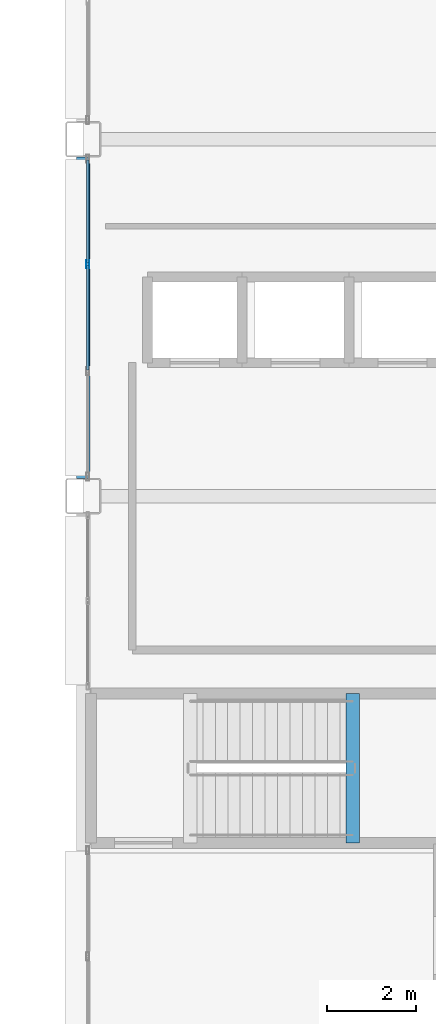
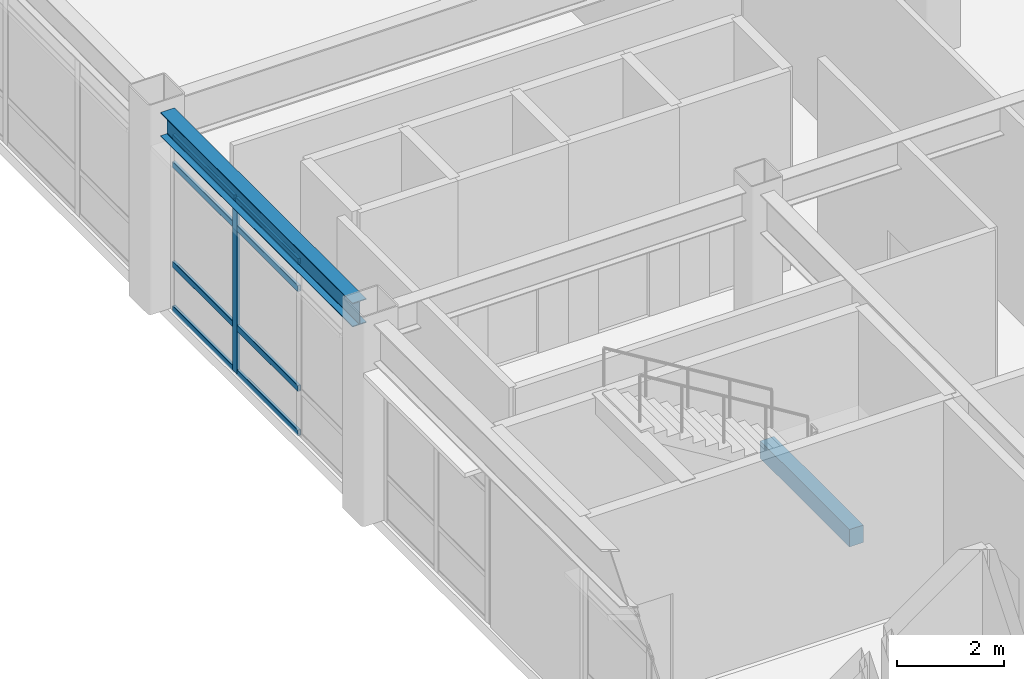
# One storey, part 93 of 154: 9 members, 2 beams, 1 element without a shape of its own.
"""IFC4 building model written with IfcOpenShell, lengths in metres."""

from ifc_helpers import new_model, si_unit, direction, frame, origin, origin_2d, place, context, subcontext, project, spatial, rectangle, hollow_rectangle, i_section, extrude, material, layer, layer_set, material_profile, profile_set, type_object, element, aggregate, save


model = new_model("IFC4")

# Units and contexts
model_context = context("Model", 3, precision=1e-05, world=origin(), true_north=direction((0.0, 1.0)))
body_context = subcontext(model_context, "Body", "Model", "MODEL_VIEW")
ifc_project = project(units=[si_unit("LENGTHUNIT", "METRE"), si_unit("AREAUNIT", "SQUARE_METRE"), si_unit("VOLUMEUNIT", "CUBIC_METRE"), si_unit("PLANEANGLEUNIT", "RADIAN"), si_unit("MASSUNIT", "GRAM", prefix="KILO")], contexts=[model_context])

# Site, building, storey
site_placement = place(None, origin())
site = spatial("IfcSite", under=ifc_project, at=site_placement, CompositionType="ELEMENT")
building_placement = place(site_placement, origin())
building = spatial("IfcBuilding", under=site, at=building_placement, Name="Kazehara Bluff Congress Hotel", CompositionType="ELEMENT")
storey_placement = place(building_placement, frame((0.0, 0.0, 10.199951171875)))
storey = spatial("IfcBuildingStorey", under=building, at=storey_placement, Name="L02", CompositionType="ELEMENT", Elevation=10.199951171875)

# Curtain wall, members
ifc_material_1 = material(Name="Anodised aluminium", Category="aluminium")
ifc_layer = layer(ifc_material_1, 0.159912109375)
ifc_layer_set = layer_set([ifc_layer], Name="Anodised aluminium")
curtain_wall_type = type_object("IfcCurtainWallType", Name="TP-CW-120", PredefinedType="NOTDEFINED", material=ifc_layer_set)
curtain_wall_placement = place(storey_placement, origin())
curtain_wall = element("IfcCurtainWall", 1, at=curtain_wall_placement, inside=storey, type_object=curtain_wall_type, Name="L02 curtain wall CW-120 CW-ENC-V5-L02-14380-6045", PredefinedType="NOTDEFINED")
ifc_material_2 = material(Name="Anodised aluminium", Category="aluminium")
ifc_material_profile_1 = material_profile(ifc_material_2, hollow_rectangle(XDim=0.06494140625, YDim=0.179931640625, WallThickness=0.00390625, InnerFilletRadius=0.00390625, OuterFilletRadius=0.008056640625, at=origin_2d()))
ifc_profile_set_1 = profile_set([ifc_material_profile_1], Name="Anodised aluminium")
member_type_1 = type_object("IfcMemberType", Name="TP-CWM-02", PredefinedType="MULLION", material=ifc_profile_set_1)
member_1_placement = place(storey_placement, frame((143.800048828125, 61.64990234375, 0.0), z_axis=(0.0, 0.0, 1.0), x_axis=(-1.0, 0.0, 0.0)))
member_1 = element("IfcMember", 2, at=member_1_placement, type_object=member_type_1, Name="CW-120 mullion 3", PredefinedType="MULLION", context=body_context, shape_type="SweptSolid", body=[
    extrude(hollow_rectangle(XDim=0.06494140625, YDim=0.179931640625, WallThickness=0.00390625, InnerFilletRadius=0.00390625, OuterFilletRadius=0.008056640625, at=origin_2d()), origin(), (0.0, 0.0, 1.0), 3.985107421875),
])
ifc_material_3 = material(Name="Anodised aluminium", Category="aluminium")
ifc_material_profile_2 = material_profile(ifc_material_3, hollow_rectangle(XDim=0.06494140625, YDim=0.139892578125, WallThickness=0.00390625, InnerFilletRadius=0.00390625, OuterFilletRadius=0.008056640625, at=origin_2d()))
ifc_profile_set_2 = profile_set([ifc_material_profile_2], Name="Anodised aluminium")
member_type_2 = type_object("IfcMemberType", Name="TP-CWT-02", PredefinedType="USERDEFINED", material=ifc_profile_set_2)
member_2_placement = place(storey_placement, frame((143.800048828125, 59.282470703125, 0.032470703125), z_axis=(0.0, 1.0, 0.0), x_axis=(-1.0, 0.0, 0.0)))
member_2 = element("IfcMember", 3, at=member_2_placement, type_object=member_type_2, Name="CW-120 transom 2.1", ObjectType="TRANSOM", PredefinedType="USERDEFINED", context=body_context, shape_type="SweptSolid", body=[
    extrude(hollow_rectangle(XDim=0.06494140625, YDim=0.139892578125, WallThickness=0.00390625, InnerFilletRadius=0.00390625, OuterFilletRadius=0.008056640625, at=origin_2d()), origin(), (0.0, 0.0, 1.0), 2.3349609375),
])
member_3_placement = place(storey_placement, frame((143.800048828125, 59.282470703125, 1.050048828125), z_axis=(0.0, 1.0, 0.0), x_axis=(-1.0, 0.0, 0.0)))
member_3 = element("IfcMember", 4, at=member_3_placement, type_object=member_type_2, Name="CW-120 transom 2.2", ObjectType="TRANSOM", PredefinedType="USERDEFINED", context=body_context, shape_type="SweptSolid", body=[
    extrude(hollow_rectangle(XDim=0.06494140625, YDim=0.139892578125, WallThickness=0.00390625, InnerFilletRadius=0.00390625, OuterFilletRadius=0.008056640625, at=origin_2d()), origin(), (0.0, 0.0, 1.0), 2.3349609375),
])
member_4_placement = place(storey_placement, frame((143.800048828125, 59.282470703125, 3.3349609375), z_axis=(0.0, 1.0, 0.0), x_axis=(-1.0, 0.0, 0.0)))
member_4 = element("IfcMember", 5, at=member_4_placement, type_object=member_type_2, Name="CW-120 transom 2.3", ObjectType="TRANSOM", PredefinedType="USERDEFINED", context=body_context, shape_type="SweptSolid", body=[
    extrude(hollow_rectangle(XDim=0.06494140625, YDim=0.139892578125, WallThickness=0.00390625, InnerFilletRadius=0.00390625, OuterFilletRadius=0.008056640625, at=origin_2d()), origin(), (0.0, 0.0, 1.0), 2.3349609375),
])
member_5_placement = place(storey_placement, frame((143.800048828125, 59.282470703125, 3.95263671875), z_axis=(0.0, 1.0, 0.0), x_axis=(-1.0, 0.0, 0.0)))
member_5 = element("IfcMember", 6, at=member_5_placement, type_object=member_type_2, Name="CW-120 transom 2.4", ObjectType="TRANSOM", PredefinedType="USERDEFINED", context=body_context, shape_type="SweptSolid", body=[
    extrude(hollow_rectangle(XDim=0.06494140625, YDim=0.139892578125, WallThickness=0.00390625, InnerFilletRadius=0.00390625, OuterFilletRadius=0.008056640625, at=origin_2d()), origin(), (0.0, 0.0, 1.0), 2.3349609375),
])
member_6_placement = place(storey_placement, frame((143.800048828125, 61.6826171875, 0.032470703125), z_axis=(0.0, 1.0, 0.0), x_axis=(-1.0, 0.0, 0.0)))
member_6 = element("IfcMember", 7, at=member_6_placement, type_object=member_type_2, Name="CW-120 transom 3.1", ObjectType="TRANSOM", PredefinedType="USERDEFINED", context=body_context, shape_type="SweptSolid", body=[
    extrude(hollow_rectangle(XDim=0.06494140625, YDim=0.139892578125, WallThickness=0.00390625, InnerFilletRadius=0.00390625, OuterFilletRadius=0.008056640625, at=origin_2d()), origin(), (0.0, 0.0, 1.0), 2.302490234375),
])
member_7_placement = place(storey_placement, frame((143.800048828125, 61.6826171875, 1.050048828125), z_axis=(0.0, 1.0, 0.0), x_axis=(-1.0, 0.0, 0.0)))
member_7 = element("IfcMember", 8, at=member_7_placement, type_object=member_type_2, Name="CW-120 transom 3.2", ObjectType="TRANSOM", PredefinedType="USERDEFINED", context=body_context, shape_type="SweptSolid", body=[
    extrude(hollow_rectangle(XDim=0.06494140625, YDim=0.139892578125, WallThickness=0.00390625, InnerFilletRadius=0.00390625, OuterFilletRadius=0.008056640625, at=origin_2d()), origin(), (0.0, 0.0, 1.0), 2.302490234375),
])
member_8_placement = place(storey_placement, frame((143.800048828125, 61.6826171875, 3.3349609375), z_axis=(0.0, 1.0, 0.0), x_axis=(-1.0, 0.0, 0.0)))
member_8 = element("IfcMember", 9, at=member_8_placement, type_object=member_type_2, Name="CW-120 transom 3.3", ObjectType="TRANSOM", PredefinedType="USERDEFINED", context=body_context, shape_type="SweptSolid", body=[
    extrude(hollow_rectangle(XDim=0.06494140625, YDim=0.139892578125, WallThickness=0.00390625, InnerFilletRadius=0.00390625, OuterFilletRadius=0.008056640625, at=origin_2d()), origin(), (0.0, 0.0, 1.0), 2.302490234375),
])
member_9_placement = place(storey_placement, frame((143.800048828125, 61.6826171875, 3.95263671875), z_axis=(0.0, 1.0, 0.0), x_axis=(-1.0, 0.0, 0.0)))
member_9 = element("IfcMember", 10, at=member_9_placement, type_object=member_type_2, Name="CW-120 transom 3.4", ObjectType="TRANSOM", PredefinedType="USERDEFINED", context=body_context, shape_type="SweptSolid", body=[
    extrude(hollow_rectangle(XDim=0.06494140625, YDim=0.139892578125, WallThickness=0.00390625, InnerFilletRadius=0.00390625, OuterFilletRadius=0.008056640625, at=origin_2d()), origin(), (0.0, 0.0, 1.0), 2.302490234375),
])
aggregate(curtain_wall, [member_1, member_2, member_3, member_4, member_5, member_6, member_7, member_8, member_9])

# Beams
ifc_material_4 = material(Name="Concrete C40/50", Category="concrete")
ifc_material_profile_3 = material_profile(ifc_material_4, rectangle(XDim=0.300048828125, YDim=0.39990234375, at=origin_2d()))
ifc_profile_set_3 = profile_set([ifc_material_profile_3], Name="Concrete C40/50")
beam_type_1 = type_object("IfcBeamType", Name="TP-LN-02", PredefinedType="LINTEL", material=ifc_profile_set_3)
beam_1_placement = place(storey_placement, frame((149.739990234375, 48.675048828125, 2.02001953125), z_axis=(0.0, 1.0, 0.0), x_axis=(-1.0, 0.0, 0.0)))
element("IfcBeam", 11, at=beam_1_placement, inside=storey, type_object=beam_type_1, Name="L02 ST-11 half-landing support beam 1", PredefinedType="LINTEL", context=body_context, shape_type="SweptSolid", body=[
    extrude(rectangle(XDim=0.300048828125, YDim=0.39990234375, at=origin_2d()), origin(), (0.0, 0.0, 1.0), 3.349853515625),
])
ifc_material_5 = material(Name="Steel SN490B", Category="steel")
ifc_material_profile_4 = material_profile(ifc_material_5, i_section(OverallWidth=0.300048828125, OverallDepth=0.550048828125, WebThickness=0.010986328125, FlangeThickness=0.01806640625, FilletRadius=0.012939453125, at=origin_2d()))
ifc_profile_set_4 = profile_set([ifc_material_profile_4], Name="Steel SN490B")
beam_type_2 = type_object("IfcBeamType", Name="TP-SP-01", PredefinedType="SPANDREL", material=ifc_profile_set_4)
beam_2_placement = place(storey_placement, frame((143.699951171875, 56.85009765625, 4.28515625), z_axis=(0.0, 1.0, 0.0), x_axis=(-1.0, 0.0, 0.0)))
element("IfcBeam", 12, at=beam_2_placement, inside=storey, type_object=beam_type_2, Name="L02 girder SP-01 144", PredefinedType="SPANDREL", context=body_context, shape_type="SweptSolid", body=[
    extrude(i_section(OverallWidth=0.300048828125, OverallDepth=0.550048828125, WebThickness=0.010986328125, FlangeThickness=0.01806640625, FilletRadius=0.012939453125, at=origin_2d()), origin(), (0.0, 0.0, 1.0), 7.199951171875),
])

save(model, "model.ifc")
